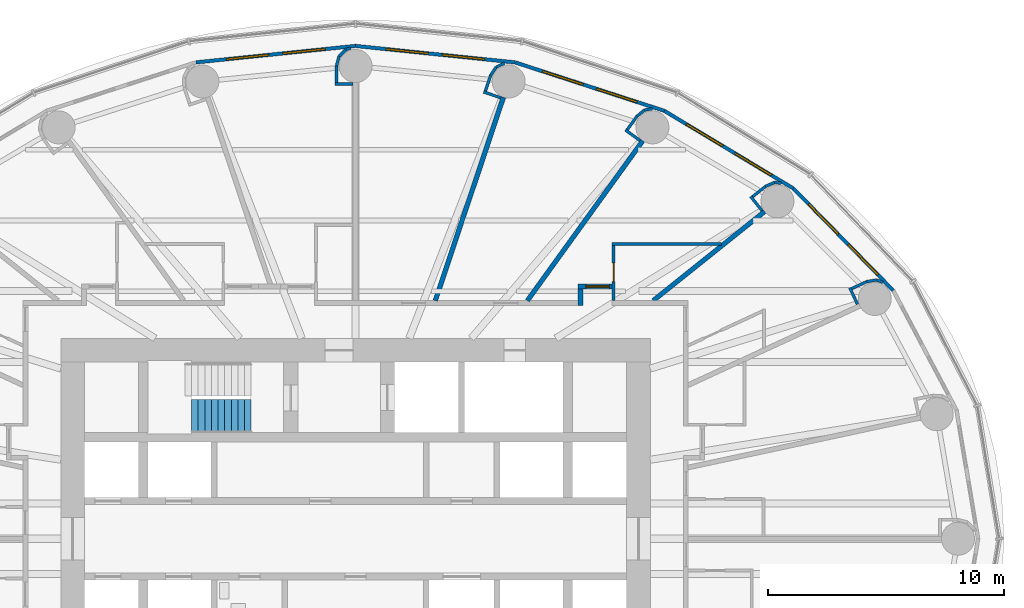
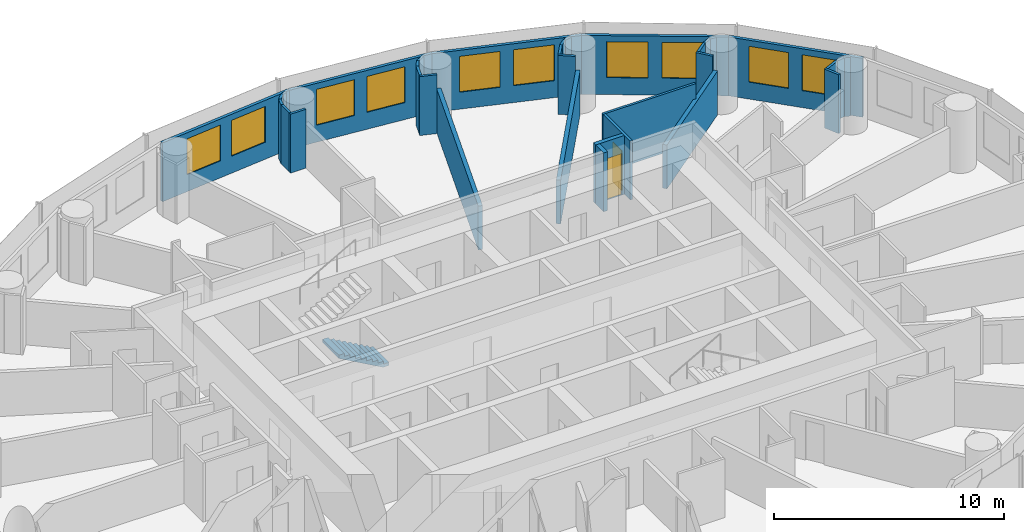
# One storey, part 13 of 16: 33 walls, 10 windows, 2 doors, 1 stair flight, 12 openings, 1 element without a shape of its own.
"""IFC4 building model written with IfcOpenShell, lengths in metres."""

from ifc_helpers import new_model, si_unit, direction, frame, frame_2d, origin, place, context, subcontext, project, spatial, polyline, rectangle, outline, extrude, material, layer, layer_set, type_object, element, fill, aggregate, save


model = new_model("IFC4")

# Units and contexts
model_context = context("Model", 3, precision=1e-05, world=origin(), true_north=direction((0.0, 1.0)))
body_context = subcontext(model_context, "Body", "Model", "MODEL_VIEW")
ifc_project = project(units=[si_unit("LENGTHUNIT", "METRE"), si_unit("AREAUNIT", "SQUARE_METRE"), si_unit("VOLUMEUNIT", "CUBIC_METRE"), si_unit("PLANEANGLEUNIT", "RADIAN"), si_unit("MASSUNIT", "GRAM", prefix="KILO")], contexts=[model_context])

# Site, building, storey
site_placement = place(None, origin())
site = spatial("IfcSite", under=ifc_project, at=site_placement, CompositionType="ELEMENT")
building_placement = place(site_placement, origin())
building = spatial("IfcBuilding", under=site, at=building_placement, Name="Hankou Lantern Tower", CompositionType="ELEMENT")
storey_placement = place(building_placement, frame((0.0, 0.0, 77.10009765625)))
storey = spatial("IfcBuildingStorey", under=building, at=storey_placement, Name="L19", CompositionType="ELEMENT", Elevation=77.10009765625)

# Wall, openings, windows
ifc_material_1 = material(Name="Aluminium spandrel panel on steel studs", Category="steel")
ifc_layer_1 = layer(ifc_material_1, 0.14990234375)
ifc_layer_set_1 = layer_set([ifc_layer_1], Name="Aluminium spandrel panel on steel studs")
wall_type_1 = type_object("IfcWallType", Name="EW1 INNER SKIN WALL 150", PredefinedType="ELEMENTEDWALL", material=ifc_layer_set_1)
wall_1_placement = place(storey_placement, frame((22.802734375, 10.5322265625, 0.0), z_axis=(0.0, 0.0, 1.0), x_axis=(-0.699602905915, 0.714531856557, 0.0)))
wall_1 = element("IfcWall", 1, at=wall_1_placement, inside=storey, type_object=wall_type_1, Name="Inner skin R03-R04 L19", PredefinedType="ELEMENTEDWALL", context=body_context, shape_type="SweptSolid", body=[
    extrude(rectangle(XDim=6.05078125, YDim=0.14990234375, at=frame_2d((3.025390625, 0.0))), origin(), (0.0, 0.0, 1.0), 3.119873046875),
])
opening_1_placement = place(wall_1_placement, frame((0.925537109375, 0.0, 0.89990234375)))
opening_1 = element("IfcOpeningElement", 2, at=opening_1_placement, cuts=wall_1, Name="Opening W1", PredefinedType="OPENING", context=body_context, shape_type="SweptSolid", body=[
    extrude(rectangle(XDim=1.800048828125, YDim=1.89990234375, at=frame_2d((0.89990234375, 0.949951171875))), frame((0.0, 0.0849609375, 0.0), z_axis=(0.0, -1.0, 0.0), x_axis=(1.0, 0.0, 0.0)), (0.0, 0.0, 1.0), 0.169921875),
])
opening_2_placement = place(wall_1_placement, frame((3.325439453125, 0.0, 0.89990234375)))
opening_2 = element("IfcOpeningElement", 3, at=opening_2_placement, cuts=wall_1, Name="Opening W1", PredefinedType="OPENING", context=body_context, shape_type="SweptSolid", body=[
    extrude(rectangle(XDim=1.800048828125, YDim=1.89990234375, at=frame_2d((0.89990234375, 0.949951171875))), frame((0.0, 0.0849609375, 0.0), z_axis=(0.0, -1.0, 0.0), x_axis=(1.0, 0.0, 0.0)), (0.0, 0.0, 1.0), 0.169921875),
])
ifc_material_2 = material(Name="Aluminium framed double glazed window", Category="aluminium")
window_type = type_object("IfcWindowType", Name="W1 GUEST ROOM WINDOW 1800X1900", PartitioningType="DOUBLE_PANEL_VERTICAL", PredefinedType="WINDOW", material=ifc_material_2)
window_1_placement = place(opening_1_placement, origin())
window_1 = element("IfcWindow", 4, at=window_1_placement, inside=storey, type_object=window_type, Name="Window R03.1 L19", OverallHeight=1.89990234375, OverallWidth=1.800048828125, PartitioningType="SINGLE_PANEL", PredefinedType="WINDOW", context=body_context, shape_type="SweptSolid", body=[
    extrude(rectangle(XDim=1.800048828125, YDim=1.89990234375, at=frame_2d((0.89990234375, 0.949951171875))), frame((0.0, 0.030029296875, 0.0), z_axis=(0.0, -1.0, 0.0), x_axis=(1.0, 0.0, 0.0)), (0.0, 0.0, 1.0), 0.06005859375),
])
fill(opening_1, window_1)
window_2_placement = place(opening_2_placement, origin())
window_2 = element("IfcWindow", 5, at=window_2_placement, inside=storey, type_object=window_type, Name="Window R03.2 L19", OverallHeight=1.89990234375, OverallWidth=1.800048828125, PartitioningType="SINGLE_PANEL", PredefinedType="WINDOW", context=body_context, shape_type="SweptSolid", body=[
    extrude(rectangle(XDim=1.800048828125, YDim=1.89990234375, at=frame_2d((0.89990234375, 0.949951171875))), frame((0.0, 0.030029296875, 0.0), z_axis=(0.0, -1.0, 0.0), x_axis=(1.0, 0.0, 0.0)), (0.0, 0.0, 1.0), 0.06005859375),
])
fill(opening_2, window_2)

wall_2_placement = place(storey_placement, frame((18.569580078125, 14.855712890625, 0.0), z_axis=(0.0, 0.0, 1.0), x_axis=(-0.856983180864, 0.515344377787, 0.0)))
wall_2 = element("IfcWall", 6, at=wall_2_placement, inside=storey, type_object=wall_type_1, Name="Inner skin R04-R05 L19", PredefinedType="ELEMENTEDWALL", context=body_context, shape_type="SweptSolid", body=[
    extrude(rectangle(XDim=6.386474609375, YDim=0.14990234375, at=frame_2d((3.193359375, 0.0))), origin(), (0.0, 0.0, 1.0), 3.119873046875),
])
opening_3_placement = place(wall_2_placement, frame((1.09326171875, 0.0, 0.89990234375)))
opening_3 = element("IfcOpeningElement", 7, at=opening_3_placement, cuts=wall_2, Name="Opening W1", PredefinedType="OPENING", context=body_context, shape_type="SweptSolid", body=[
    extrude(rectangle(XDim=1.800048828125, YDim=1.89990234375, at=frame_2d((0.89990234375, 0.949951171875))), frame((0.0, 0.0849609375, 0.0), z_axis=(0.0, -1.0, 0.0), x_axis=(1.0, 0.0, 0.0)), (0.0, 0.0, 1.0), 0.169921875),
])
opening_4_placement = place(wall_2_placement, frame((3.4931640625, 0.0, 0.89990234375)))
opening_4 = element("IfcOpeningElement", 8, at=opening_4_placement, cuts=wall_2, Name="Opening W1", PredefinedType="OPENING", context=body_context, shape_type="SweptSolid", body=[
    extrude(rectangle(XDim=1.800048828125, YDim=1.89990234375, at=frame_2d((0.89990234375, 0.949951171875))), frame((0.0, 0.0849609375, 0.0), z_axis=(0.0, -1.0, 0.0), x_axis=(1.0, 0.0, 0.0)), (0.0, 0.0, 1.0), 0.169921875),
])
window_3_placement = place(opening_3_placement, origin())
window_3 = element("IfcWindow", 9, at=window_3_placement, inside=storey, type_object=window_type, Name="Window R04.1 L19", OverallHeight=1.89990234375, OverallWidth=1.800048828125, PartitioningType="SINGLE_PANEL", PredefinedType="WINDOW", context=body_context, shape_type="SweptSolid", body=[
    extrude(rectangle(XDim=1.800048828125, YDim=1.89990234375, at=frame_2d((0.89990234375, 0.949951171875))), frame((0.0, 0.030029296875, 0.0), z_axis=(0.0, -1.0, 0.0), x_axis=(1.0, 0.0, 0.0)), (0.0, 0.0, 1.0), 0.06005859375),
])
fill(opening_3, window_3)
window_4_placement = place(opening_4_placement, origin())
window_4 = element("IfcWindow", 10, at=window_4_placement, inside=storey, type_object=window_type, Name="Window R04.2 L19", OverallHeight=1.89990234375, OverallWidth=1.800048828125, PartitioningType="SINGLE_PANEL", PredefinedType="WINDOW", context=body_context, shape_type="SweptSolid", body=[
    extrude(rectangle(XDim=1.800048828125, YDim=1.89990234375, at=frame_2d((0.89990234375, 0.949951171875))), frame((0.0, 0.030029296875, 0.0), z_axis=(0.0, -1.0, 0.0), x_axis=(1.0, 0.0, 0.0)), (0.0, 0.0, 1.0), 0.06005859375),
])
fill(opening_4, window_4)

wall_3_placement = place(storey_placement, frame((13.096435546875, 18.14697265625, 0.0), z_axis=(0.0, 0.0, 1.0), x_axis=(-0.951137534625, 0.308767534285, 0.0)))
wall_3 = element("IfcWall", 11, at=wall_3_placement, inside=storey, type_object=wall_type_1, Name="Inner skin R05-R06 L19", PredefinedType="ELEMENTEDWALL", context=body_context, shape_type="SweptSolid", body=[
    extrude(rectangle(XDim=6.6552734375, YDim=0.14990234375, at=frame_2d((3.32763671875, 0.0))), origin(), (0.0, 0.0, 1.0), 3.119873046875),
])
opening_5_placement = place(wall_3_placement, frame((1.2275390625, 0.0, 0.89990234375)))
opening_5 = element("IfcOpeningElement", 12, at=opening_5_placement, cuts=wall_3, Name="Opening W1", PredefinedType="OPENING", context=body_context, shape_type="SweptSolid", body=[
    extrude(rectangle(XDim=1.800048828125, YDim=1.89990234375, at=frame_2d((0.89990234375, 0.949951171875))), frame((0.0, 0.0849609375, 0.0), z_axis=(0.0, -1.0, 0.0), x_axis=(1.0, 0.0, 0.0)), (0.0, 0.0, 1.0), 0.169921875),
])
opening_6_placement = place(wall_3_placement, frame((3.627685546875, 0.0, 0.89990234375)))
opening_6 = element("IfcOpeningElement", 13, at=opening_6_placement, cuts=wall_3, Name="Opening W1", PredefinedType="OPENING", context=body_context, shape_type="SweptSolid", body=[
    extrude(rectangle(XDim=1.800048828125, YDim=1.89990234375, at=frame_2d((0.89990234375, 0.949951171875))), frame((0.0, 0.0849609375, 0.0), z_axis=(0.0, -1.0, 0.0), x_axis=(1.0, 0.0, 0.0)), (0.0, 0.0, 1.0), 0.169921875),
])
window_5_placement = place(opening_5_placement, origin())
window_5 = element("IfcWindow", 14, at=window_5_placement, inside=storey, type_object=window_type, Name="Window R05.1 L19", OverallHeight=1.89990234375, OverallWidth=1.800048828125, PartitioningType="SINGLE_PANEL", PredefinedType="WINDOW", context=body_context, shape_type="SweptSolid", body=[
    extrude(rectangle(XDim=1.800048828125, YDim=1.89990234375, at=frame_2d((0.89990234375, 0.949951171875))), frame((0.0, 0.030029296875, 0.0), z_axis=(0.0, -1.0, 0.0), x_axis=(1.0, 0.0, 0.0)), (0.0, 0.0, 1.0), 0.06005859375),
])
fill(opening_5, window_5)
window_6_placement = place(opening_6_placement, origin())
window_6 = element("IfcWindow", 15, at=window_6_placement, inside=storey, type_object=window_type, Name="Window R05.2 L19", OverallHeight=1.89990234375, OverallWidth=1.800048828125, PartitioningType="SINGLE_PANEL", PredefinedType="WINDOW", context=body_context, shape_type="SweptSolid", body=[
    extrude(rectangle(XDim=1.800048828125, YDim=1.89990234375, at=frame_2d((0.89990234375, 0.949951171875))), frame((0.0, 0.030029296875, 0.0), z_axis=(0.0, -1.0, 0.0), x_axis=(1.0, 0.0, 0.0)), (0.0, 0.0, 1.0), 0.06005859375),
])
fill(opening_6, window_6)

wall_4_placement = place(storey_placement, frame((6.766357421875, 20.201904296875, 0.0), z_axis=(0.0, 0.0, 1.0), x_axis=(-0.994721394369, 0.102612609291, 0.0)))
wall_4 = element("IfcWall", 16, at=wall_4_placement, inside=storey, type_object=wall_type_1, Name="Inner skin R06-R07 L19", PredefinedType="ELEMENTEDWALL", context=body_context, shape_type="SweptSolid", body=[
    extrude(rectangle(XDim=6.80224609375, YDim=0.14990234375, at=frame_2d((3.401123046875, 0.0))), origin(), (0.0, 0.0, 1.0), 3.119873046875),
])
opening_7_placement = place(wall_4_placement, frame((1.301025390625, 0.0, 0.89990234375)))
opening_7 = element("IfcOpeningElement", 17, at=opening_7_placement, cuts=wall_4, Name="Opening W1", PredefinedType="OPENING", context=body_context, shape_type="SweptSolid", body=[
    extrude(rectangle(XDim=1.800048828125, YDim=1.89990234375, at=frame_2d((0.89990234375, 0.949951171875))), frame((0.0, 0.0849609375, 0.0), z_axis=(0.0, -1.0, 0.0), x_axis=(1.0, 0.0, 0.0)), (0.0, 0.0, 1.0), 0.169921875),
])
opening_8_placement = place(wall_4_placement, frame((3.701171875, 0.0, 0.89990234375)))
opening_8 = element("IfcOpeningElement", 18, at=opening_8_placement, cuts=wall_4, Name="Opening W1", PredefinedType="OPENING", context=body_context, shape_type="SweptSolid", body=[
    extrude(rectangle(XDim=1.800048828125, YDim=1.89990234375, at=frame_2d((0.89990234375, 0.949951171875))), frame((0.0, 0.0849609375, 0.0), z_axis=(0.0, -1.0, 0.0), x_axis=(1.0, 0.0, 0.0)), (0.0, 0.0, 1.0), 0.169921875),
])
window_7_placement = place(opening_7_placement, origin())
window_7 = element("IfcWindow", 19, at=window_7_placement, inside=storey, type_object=window_type, Name="Window R06.1 L19", OverallHeight=1.89990234375, OverallWidth=1.800048828125, PartitioningType="SINGLE_PANEL", PredefinedType="WINDOW", context=body_context, shape_type="SweptSolid", body=[
    extrude(rectangle(XDim=1.800048828125, YDim=1.89990234375, at=frame_2d((0.89990234375, 0.949951171875))), frame((0.0, 0.030029296875, 0.0), z_axis=(0.0, -1.0, 0.0), x_axis=(1.0, 0.0, 0.0)), (0.0, 0.0, 1.0), 0.06005859375),
])
fill(opening_7, window_7)
window_8_placement = place(opening_8_placement, origin())
window_8 = element("IfcWindow", 20, at=window_8_placement, inside=storey, type_object=window_type, Name="Window R06.2 L19", OverallHeight=1.89990234375, OverallWidth=1.800048828125, PartitioningType="SINGLE_PANEL", PredefinedType="WINDOW", context=body_context, shape_type="SweptSolid", body=[
    extrude(rectangle(XDim=1.800048828125, YDim=1.89990234375, at=frame_2d((0.89990234375, 0.949951171875))), frame((0.0, 0.030029296875, 0.0), z_axis=(0.0, -1.0, 0.0), x_axis=(1.0, 0.0, 0.0)), (0.0, 0.0, 1.0), 0.06005859375),
])
fill(opening_8, window_8)

wall_5_placement = place(storey_placement, frame((0.0, 20.89990234375, 0.0), z_axis=(0.0, 0.0, 1.0), x_axis=(-0.994721394369, -0.102612609291, 0.0)))
wall_5 = element("IfcWall", 21, at=wall_5_placement, inside=storey, type_object=wall_type_1, Name="Inner skin R07-R08 L19", PredefinedType="ELEMENTEDWALL", context=body_context, shape_type="SweptSolid", body=[
    extrude(rectangle(XDim=6.80224609375, YDim=0.14990234375, at=frame_2d((3.401123046875, 0.0))), origin(), (0.0, 0.0, 1.0), 3.119873046875),
])
opening_9_placement = place(wall_5_placement, frame((1.301025390625, 0.0, 0.89990234375)))
opening_9 = element("IfcOpeningElement", 22, at=opening_9_placement, cuts=wall_5, Name="Opening W1", PredefinedType="OPENING", context=body_context, shape_type="SweptSolid", body=[
    extrude(rectangle(XDim=1.800048828125, YDim=1.89990234375, at=frame_2d((0.89990234375, 0.949951171875))), frame((0.0, 0.0849609375, 0.0), z_axis=(0.0, -1.0, 0.0), x_axis=(1.0, 0.0, 0.0)), (0.0, 0.0, 1.0), 0.169921875),
])
opening_10_placement = place(wall_5_placement, frame((3.701171875, 0.0, 0.89990234375)))
opening_10 = element("IfcOpeningElement", 23, at=opening_10_placement, cuts=wall_5, Name="Opening W1", PredefinedType="OPENING", context=body_context, shape_type="SweptSolid", body=[
    extrude(rectangle(XDim=1.800048828125, YDim=1.89990234375, at=frame_2d((0.89990234375, 0.949951171875))), frame((0.0, 0.0849609375, 0.0), z_axis=(0.0, -1.0, 0.0), x_axis=(1.0, 0.0, 0.0)), (0.0, 0.0, 1.0), 0.169921875),
])
window_9_placement = place(opening_9_placement, origin())
window_9 = element("IfcWindow", 24, at=window_9_placement, inside=storey, type_object=window_type, Name="Window R07.1 L19", OverallHeight=1.89990234375, OverallWidth=1.800048828125, PartitioningType="SINGLE_PANEL", PredefinedType="WINDOW", context=body_context, shape_type="SweptSolid", body=[
    extrude(rectangle(XDim=1.800048828125, YDim=1.89990234375, at=frame_2d((0.89990234375, 0.949951171875))), frame((0.0, 0.030029296875, 0.0), z_axis=(0.0, -1.0, 0.0), x_axis=(1.0, 0.0, 0.0)), (0.0, 0.0, 1.0), 0.06005859375),
])
fill(opening_9, window_9)
window_10_placement = place(opening_10_placement, origin())
window_10 = element("IfcWindow", 25, at=window_10_placement, inside=storey, type_object=window_type, Name="Window R07.2 L19", OverallHeight=1.89990234375, OverallWidth=1.800048828125, PartitioningType="SINGLE_PANEL", PredefinedType="WINDOW", context=body_context, shape_type="SweptSolid", body=[
    extrude(rectangle(XDim=1.800048828125, YDim=1.89990234375, at=frame_2d((0.89990234375, 0.949951171875))), frame((0.0, 0.030029296875, 0.0), z_axis=(0.0, -1.0, 0.0), x_axis=(1.0, 0.0, 0.0)), (0.0, 0.0, 1.0), 0.06005859375),
])
fill(opening_10, window_10)

# Wall
ifc_material_3 = material(Name="Masonry lightweight concrete block", Category="masonry")
ifc_layer_2 = layer(ifc_material_3, 0.199951171875)
ifc_layer_set_2 = layer_set([ifc_layer_2], Name="Masonry lightweight concrete block")
wall_type_2 = type_object("IfcWallType", Name="IW1 GUEST ROOM PARTY WALL 200", PredefinedType="PARTITIONING", material=ifc_layer_set_2)
wall_6_placement = place(storey_placement, frame((12.625, 10.10009765625, 0.0), z_axis=(0.0, 0.0, 1.0), x_axis=(0.780892451574, 0.624665493744, 0.0)))
element("IfcWall", 26, at=wall_6_placement, inside=storey, type_object=wall_type_2, Name="Party wall R04", PredefinedType="PARTITIONING", context=body_context, shape_type="SweptSolid", body=[
    extrude(rectangle(XDim=6.044677734375, YDim=0.199951171875, at=frame_2d((3.0224609375, 0.0))), origin(), (0.0, 0.0, 1.0), 2.31982421875),
])

# Wall, opening, door
ifc_material_4 = material(Name="Masonry lightweight concrete block", Category="masonry")
ifc_layer_3 = layer(ifc_material_4, 0.199951171875)
ifc_layer_set_3 = layer_set([ifc_layer_3], Name="Masonry lightweight concrete block")
wall_type_3 = type_object("IfcWallType", Name="IW2 CORRIDOR WALL 200", PredefinedType="PARTITIONING", material=ifc_layer_set_3)
wall_7_placement = place(storey_placement, frame((9.445068359375, 10.699951171875, 0.0), z_axis=(0.0, 0.0, 1.0), x_axis=(1.0, 0.0, 0.0)))
wall_7 = element("IfcWall", 27, at=wall_7_placement, inside=storey, type_object=wall_type_3, Name="Corridor recess wall 1909 back", PredefinedType="PARTITIONING", context=body_context, shape_type="SweptSolid", body=[
    extrude(rectangle(XDim=1.43994140625, YDim=0.199951171875, at=frame_2d((0.719970703125, 0.0))), origin(), (0.0, 0.0, 1.0), 3.119873046875),
])
opening_11_placement = place(wall_7_placement, frame((0.320068359375, 0.0, 0.0)))
opening_11 = element("IfcOpeningElement", 28, at=opening_11_placement, cuts=wall_7, Name="Opening D1", PredefinedType="OPENING", context=body_context, shape_type="SweptSolid", body=[
    extrude(rectangle(XDim=1.0, YDim=2.199951171875, at=frame_2d((0.5, 1.10009765625))), frame((0.0, 0.10986328125, 0.0), z_axis=(0.0, -1.0, 0.0), x_axis=(1.0, 0.0, 0.0)), (0.0, 0.0, 1.0), 0.219970703125),
])
ifc_material_5 = material(Name="Steel door leaf", Category="steel")
door_type_1 = type_object("IfcDoorType", Name="D1 GUEST ROOM DOOR 1000X2200", OperationType="SINGLE_SWING_LEFT", PredefinedType="DOOR", material=ifc_material_5)
door_1_placement = place(opening_11_placement, origin())
door_1 = element("IfcDoor", 29, at=door_1_placement, inside=storey, type_object=door_type_1, Name="Guest room door 1909", OperationType="SINGLE_SWING_RIGHT", OverallHeight=2.199951171875, OverallWidth=1.0, PredefinedType="DOOR", context=body_context, shape_type="SweptSolid", body=[
    extrude(rectangle(XDim=1.0, YDim=2.199951171875, at=frame_2d((0.5, 1.10009765625))), frame((0.0, 0.02490234375, 0.0), z_axis=(0.0, -1.0, 0.0), x_axis=(1.0, 0.0, 0.0)), (0.0, 0.0, 1.0), 0.050048828125),
])
fill(opening_11, door_1)

# Walls
wall_8_placement = place(storey_placement, frame((9.544921875, 9.89990234375, 0.0), z_axis=(0.0, 0.0, 1.0), x_axis=(0.0, 1.0, 0.0)))
element("IfcWall", 30, at=wall_8_placement, inside=storey, type_object=wall_type_3, Name="Corridor recess wall 1909 side", PredefinedType="PARTITIONING", context=body_context, shape_type="SweptSolid", body=[
    extrude(rectangle(XDim=0.7001953125, YDim=0.199951171875, at=frame_2d((0.35009765625, 0.0))), origin(), (0.0, 0.0, 1.0), 3.119873046875),
])
ifc_material_6 = material(Name="Masonry lightweight concrete block", Category="masonry")
ifc_layer_4 = layer(ifc_material_6, 0.1201171875)
ifc_layer_set_4 = layer_set([ifc_layer_4], Name="Masonry lightweight concrete block")
wall_type_4 = type_object("IfcWallType", Name="IW3 BATHROOM WALL 120", PredefinedType="PARTITIONING", material=ifc_layer_set_4)
wall_9_placement = place(storey_placement, frame((15.52490234375, 12.5, 0.0), z_axis=(0.0, 0.0, 1.0), x_axis=(-1.0, 0.0, 0.0)))
element("IfcWall", 31, at=wall_9_placement, inside=storey, type_object=wall_type_4, Name="Box wall 1909 1", PredefinedType="PARTITIONING", context=body_context, shape_type="SweptSolid", body=[
    extrude(rectangle(XDim=4.639892578125, YDim=0.1201171875, at=frame_2d((2.31982421875, 0.0))), origin(), (0.0, 0.0, 1.0), 3.119873046875),
])

# Wall, opening, door
wall_10_placement = place(storey_placement, frame((10.945068359375, 10.10009765625, 0.0), z_axis=(0.0, 0.0, 1.0), x_axis=(0.0, 1.0, 0.0)))
wall_10 = element("IfcWall", 32, at=wall_10_placement, inside=storey, type_object=wall_type_4, Name="Box wall 1909 1", PredefinedType="PARTITIONING", context=body_context, shape_type="SweptSolid", body=[
    extrude(rectangle(XDim=2.33984375, YDim=0.1201171875, at=frame_2d((1.169921875, 0.0))), origin(), (0.0, 0.0, 1.0), 3.119873046875),
])
opening_12_placement = place(wall_10_placement, frame((0.800048828125, 0.0, 0.0)))
opening_12 = element("IfcOpeningElement", 33, at=opening_12_placement, cuts=wall_10, Name="Opening D3", PredefinedType="OPENING", context=body_context, shape_type="SweptSolid", body=[
    extrude(rectangle(XDim=0.800048828125, YDim=2.10009765625, at=frame_2d((0.39990234375, 1.050048828125))), frame((0.0, 0.070068359375, 0.0), z_axis=(0.0, -1.0, 0.0), x_axis=(1.0, 0.0, 0.0)), (0.0, 0.0, 1.0), 0.14013671875),
])
ifc_material_7 = material(Name="Timber door leaf", Category="wood")
door_type_2 = type_object("IfcDoorType", Name="D3 BATHROOM DOOR 800X2100", OperationType="SINGLE_SWING_LEFT", PredefinedType="DOOR", material=ifc_material_7)
door_2_placement = place(opening_12_placement, origin())
door_2 = element("IfcDoor", 34, at=door_2_placement, inside=storey, type_object=door_type_2, Name="En-suite bathroom 1909 door", OperationType="SINGLE_SWING_LEFT", OverallHeight=2.10009765625, OverallWidth=0.800048828125, PredefinedType="DOOR", context=body_context, shape_type="SweptSolid", body=[
    extrude(rectangle(XDim=0.800048828125, YDim=2.10009765625, at=frame_2d((0.39990234375, 1.050048828125))), frame((0.0, 0.02490234375, 0.0), z_axis=(0.0, -1.0, 0.0), x_axis=(1.0, 0.0, 0.0)), (0.0, 0.0, 1.0), 0.050048828125),
])
fill(opening_12, door_2)

# Walls
ifc_material_8 = material(Name="Masonry lightweight concrete block", Category="masonry")
ifc_layer_5 = layer(ifc_material_8, 0.1201171875)
ifc_layer_set_5 = layer_set([ifc_layer_5], Name="Masonry lightweight concrete block")
wall_type_5 = type_object("IfcWallType", Name="IW4 PARTITION 120", PredefinedType="PARTITIONING", material=ifc_layer_set_5)
wall_11_placement = place(storey_placement, frame((21.287109375, 9.9423828125, 0.0), z_axis=(0.0, 0.0, 1.0), x_axis=(-0.419259891039, 0.907866258744, 0.0)))
element("IfcWall", 35, at=wall_11_placement, inside=storey, type_object=wall_type_5, Name="Column casing R03 return", PredefinedType="PARTITIONING", context=body_context, shape_type="SweptSolid", body=[
    extrude(rectangle(XDim=0.767578125, YDim=0.1201171875, at=frame_2d((0.3837890625, 0.0))), origin(), (0.0, 0.0, 1.0), 3.119873046875),
])
wall_12_placement = place(storey_placement, frame((21.044921875, 10.60986328125, 0.0), z_axis=(0.0, 0.0, 1.0), x_axis=(0.907877701396, 0.419235112208, 0.0)))
element("IfcWall", 36, at=wall_12_placement, inside=storey, type_object=wall_type_5, Name="Column casing R03", PredefinedType="PARTITIONING", context=body_context, shape_type="SweptSolid", body=[
    extrude(rectangle(XDim=0.699951171875, YDim=0.1201171875, at=frame_2d((0.35009765625, 0.0))), origin(), (0.0, 0.0, 1.0), 3.119873046875),
])
wall_13_placement = place(storey_placement, frame((21.680419921875, 10.9033203125, 0.0), z_axis=(0.0, 0.0, 1.0), x_axis=(0.985446622073, 0.169985161247, 0.0)))
element("IfcWall", 37, at=wall_13_placement, inside=storey, type_object=wall_type_5, Name="Column casing R03", PredefinedType="PARTITIONING", context=body_context, shape_type="SweptSolid", body=[
    extrude(rectangle(XDim=0.41796875, YDim=0.1201171875, at=frame_2d((0.208984375, 0.0))), origin(), (0.0, 0.0, 1.0), 3.119873046875),
])
wall_14_placement = place(storey_placement, frame((22.09228515625, 10.974365234375, 0.0), z_axis=(0.0, 0.0, 1.0), x_axis=(0.938428160676, -0.345474437912, 0.0)))
element("IfcWall", 38, at=wall_14_placement, inside=storey, type_object=wall_type_5, Name="Column casing R03", PredefinedType="PARTITIONING", context=body_context, shape_type="SweptSolid", body=[
    extrude(rectangle(XDim=0.2939453125, YDim=0.1201171875, at=frame_2d((0.14697265625, 0.0))), origin(), (0.0, 0.0, 1.0), 3.119873046875),
])
wall_15_placement = place(storey_placement, frame((17.23583984375, 13.916748046875, 0.0), z_axis=(0.0, 0.0, 1.0), x_axis=(-0.624695047554, 0.780868809443, 0.0)))
element("IfcWall", 39, at=wall_15_placement, inside=storey, type_object=wall_type_5, Name="Column casing R04 return", PredefinedType="PARTITIONING", context=body_context, shape_type="SweptSolid", body=[
    extrude(rectangle(XDim=0.767578125, YDim=0.1201171875, at=frame_2d((0.3837890625, 0.0))), origin(), (0.0, 0.0, 1.0), 3.119873046875),
])
wall_16_placement = place(storey_placement, frame((16.840576171875, 14.506591796875, 0.0), z_axis=(0.0, 0.0, 1.0), x_axis=(0.780902834923, 0.62465251333, 0.0)))
element("IfcWall", 40, at=wall_16_placement, inside=storey, type_object=wall_type_5, Name="Column casing R04", PredefinedType="PARTITIONING", context=body_context, shape_type="SweptSolid", body=[
    extrude(rectangle(XDim=0.699951171875, YDim=0.1201171875, at=frame_2d((0.35009765625, 0.0))), origin(), (0.0, 0.0, 1.0), 3.119873046875),
])
wall_17_placement = place(storey_placement, frame((17.38720703125, 14.94384765625, 0.0), z_axis=(0.0, 0.0, 1.0), x_axis=(0.916036698064, 0.401094462441, 0.0)))
element("IfcWall", 41, at=wall_17_placement, inside=storey, type_object=wall_type_5, Name="Column casing R04", PredefinedType="PARTITIONING", context=body_context, shape_type="SweptSolid", body=[
    extrude(rectangle(XDim=0.418212890625, YDim=0.1201171875, at=frame_2d((0.208984375, 0.0))), origin(), (0.0, 0.0, 1.0), 3.119873046875),
])
wall_18_placement = place(storey_placement, frame((17.770263671875, 15.111572265625, 0.0), z_axis=(0.0, 0.0, 1.0), x_axis=(0.993904401174, -0.110245368731, 0.0)))
element("IfcWall", 42, at=wall_18_placement, inside=storey, type_object=wall_type_5, Name="Column casing R04", PredefinedType="PARTITIONING", context=body_context, shape_type="SweptSolid", body=[
    extrude(rectangle(XDim=0.287841796875, YDim=0.1201171875, at=frame_2d((0.14404296875, 0.0))), origin(), (0.0, 0.0, 1.0), 3.119873046875),
])
wall_19_placement = place(storey_placement, frame((12.06494140625, 16.888671875, 0.0), z_axis=(0.0, 0.0, 1.0), x_axis=(-0.810821798253, 0.585293098778, 0.0)))
element("IfcWall", 43, at=wall_19_placement, inside=storey, type_object=wall_type_5, Name="Column casing R05 return", PredefinedType="PARTITIONING", context=body_context, shape_type="SweptSolid", body=[
    extrude(rectangle(XDim=0.767578125, YDim=0.1201171875, at=frame_2d((0.3837890625, 0.0))), origin(), (0.0, 0.0, 1.0), 3.119873046875),
])
wall_20_placement = place(storey_placement, frame((11.5263671875, 17.351318359375, 0.0), z_axis=(0.0, 0.0, 1.0), x_axis=(0.585223113993, 0.810872312296, 0.0)))
element("IfcWall", 44, at=wall_20_placement, inside=storey, type_object=wall_type_5, Name="Column casing R05", PredefinedType="PARTITIONING", context=body_context, shape_type="SweptSolid", body=[
    extrude(rectangle(XDim=0.699951171875, YDim=0.1201171875, at=frame_2d((0.35009765625, 0.0))), origin(), (0.0, 0.0, 1.0), 3.119873046875),
])
wall_21_placement = place(storey_placement, frame((11.93603515625, 17.9189453125, 0.0), z_axis=(0.0, 0.0, 1.0), x_axis=(0.775023088441, 0.631932917629, 0.0)))
element("IfcWall", 45, at=wall_21_placement, inside=storey, type_object=wall_type_5, Name="Column casing R05", PredefinedType="PARTITIONING", context=body_context, shape_type="SweptSolid", body=[
    extrude(rectangle(XDim=0.41796875, YDim=0.1201171875, at=frame_2d((0.208984375, 0.0))), origin(), (0.0, 0.0, 1.0), 3.119873046875),
])
wall_22_placement = place(storey_placement, frame((12.260009765625, 18.18310546875, 0.0), z_axis=(0.0, 0.0, 1.0), x_axis=(0.987218661664, 0.159371622511, 0.0)))
element("IfcWall", 46, at=wall_22_placement, inside=storey, type_object=wall_type_5, Name="Column casing R05", PredefinedType="PARTITIONING", context=body_context, shape_type="SweptSolid", body=[
    extrude(rectangle(XDim=0.330810546875, YDim=0.1201171875, at=frame_2d((0.16552734375, 0.0))), origin(), (0.0, 0.0, 1.0), 3.119873046875),
])
wall_23_placement = place(storey_placement, frame((6.15869140625, 18.702392578125, 0.0), z_axis=(0.0, 0.0, 1.0), x_axis=(-0.948173154049, 0.31775410295, 0.0)))
element("IfcWall", 47, at=wall_23_placement, inside=storey, type_object=wall_type_5, Name="Column casing R06 return", PredefinedType="PARTITIONING", context=body_context, shape_type="SweptSolid", body=[
    extrude(rectangle(XDim=0.767578125, YDim=0.1201171875, at=frame_2d((0.3837890625, 0.0))), origin(), (0.0, 0.0, 1.0), 3.119873046875),
])
wall_24_placement = place(storey_placement, frame((5.5068359375, 18.984130859375, 0.0), z_axis=(0.0, 0.0, 1.0), x_axis=(0.317692050622, 0.948193946918, 0.0)))
element("IfcWall", 48, at=wall_24_placement, inside=storey, type_object=wall_type_5, Name="Column casing R06", PredefinedType="PARTITIONING", context=body_context, shape_type="SweptSolid", body=[
    extrude(rectangle(XDim=0.7001953125, YDim=0.1201171875, at=frame_2d((0.35009765625, 0.0))), origin(), (0.0, 0.0, 1.0), 3.119873046875),
])
wall_25_placement = place(storey_placement, frame((5.729248046875, 19.64794921875, 0.0), z_axis=(0.0, 0.0, 1.0), x_axis=(0.552135764955, 0.833754218615, 0.0)))
element("IfcWall", 49, at=wall_25_placement, inside=storey, type_object=wall_type_5, Name="Column casing R06", PredefinedType="PARTITIONING", context=body_context, shape_type="SweptSolid", body=[
    extrude(rectangle(XDim=0.41796875, YDim=0.1201171875, at=frame_2d((0.208984375, 0.0))), origin(), (0.0, 0.0, 1.0), 3.119873046875),
])
wall_26_placement = place(storey_placement, frame((5.9599609375, 19.996337890625, 0.0), z_axis=(0.0, 0.0, 1.0), x_axis=(0.895160725913, 0.445743507842, 0.0)))
element("IfcWall", 50, at=wall_26_placement, inside=storey, type_object=wall_type_5, Name="Column casing R06", PredefinedType="PARTITIONING", context=body_context, shape_type="SweptSolid", body=[
    extrude(rectangle(XDim=0.398681640625, YDim=0.1201171875, at=frame_2d((0.19921875, 0.0))), origin(), (0.0, 0.0, 1.0), 3.119873046875),
])
wall_27_placement = place(storey_placement, frame((-0.10009765625, 19.2900390625, 0.0), z_axis=(0.0, 0.0, 1.0), x_axis=(-1.0, 0.0, 0.0)))
element("IfcWall", 51, at=wall_27_placement, inside=storey, type_object=wall_type_5, Name="Column casing R07 return", PredefinedType="PARTITIONING", context=body_context, shape_type="SweptSolid", body=[
    extrude(rectangle(XDim=0.767333984375, YDim=0.1201171875, at=frame_2d((0.3837890625, 0.0))), origin(), (0.0, 0.0, 1.0), 3.119873046875),
])
wall_28_placement = place(storey_placement, frame((-0.8076171875, 19.35009765625, 0.0), z_axis=(0.0, 0.0, 1.0), x_axis=(0.0, 1.0, 0.0)))
element("IfcWall", 52, at=wall_28_placement, inside=storey, type_object=wall_type_5, Name="Column casing R07", PredefinedType="PARTITIONING", context=body_context, shape_type="SweptSolid", body=[
    extrude(rectangle(XDim=0.699951171875, YDim=0.1201171875, at=frame_2d((0.35009765625, 0.0))), origin(), (0.0, 0.0, 1.0), 3.119873046875),
])
wall_29_placement = place(storey_placement, frame((-0.8076171875, 20.050048828125, 0.0), z_axis=(0.0, 0.0, 1.0), x_axis=(0.2592614205, 0.965807183573, 0.0)))
element("IfcWall", 53, at=wall_29_placement, inside=storey, type_object=wall_type_5, Name="Column casing R07", PredefinedType="PARTITIONING", context=body_context, shape_type="SweptSolid", body=[
    extrude(rectangle(XDim=0.418212890625, YDim=0.1201171875, at=frame_2d((0.208984375, 0.0))), origin(), (0.0, 0.0, 1.0), 3.119873046875),
])
wall_30_placement = place(storey_placement, frame((-0.69921875, 20.453857421875, 0.0), z_axis=(0.0, 0.0, 1.0), x_axis=(0.707106781187, 0.707106781187, 0.0)))
element("IfcWall", 54, at=wall_30_placement, inside=storey, type_object=wall_type_5, Name="Column casing R07", PredefinedType="PARTITIONING", context=body_context, shape_type="SweptSolid", body=[
    extrude(rectangle(XDim=0.417724609375, YDim=0.1201171875, at=frame_2d((0.208984375, 0.0))), origin(), (0.0, 0.0, 1.0), 3.119873046875),
])
wall_31_placement = place(storey_placement, frame((-0.40380859375, 20.749267578125, 0.0), z_axis=(0.0, 0.0, 1.0), x_axis=(0.965759066438, 0.25944060128, 0.0)))
element("IfcWall", 55, at=wall_31_placement, inside=storey, type_object=wall_type_5, Name="Column casing R07", PredefinedType="PARTITIONING", context=body_context, shape_type="SweptSolid", body=[
    extrude(rectangle(XDim=0.213623046875, YDim=0.1201171875, at=frame_2d((0.10693359375, 0.0))), origin(), (0.0, 0.0, 1.0), 3.119873046875),
])
ifc_material_9 = material(Name="Masonry lightweight concrete block", Category="masonry")
ifc_layer_6 = layer(ifc_material_9, 0.199951171875)
ifc_layer_set_6 = layer_set([ifc_layer_6], Name="Masonry lightweight concrete block")
wall_type_6 = type_object("IfcWallType", Name="IW8 PARTITION 200", PredefinedType="PARTITIONING", material=ifc_layer_set_6)
wall_32_placement = place(storey_placement, frame((7.2890625, 10.10009765625, 0.0), z_axis=(0.0, 0.0, 1.0), x_axis=(0.585198353053, 0.810890182197, 0.0)))
element("IfcWall", 56, at=wall_32_placement, inside=storey, type_object=wall_type_6, Name="Partition R05", PredefinedType="PARTITIONING", context=body_context, shape_type="SweptSolid", body=[
    extrude(rectangle(XDim=8.359619140625, YDim=0.199951171875, at=frame_2d((4.1796875, 0.0))), origin(), (0.0, 0.0, 1.0), 2.31982421875),
])
wall_33_placement = place(storey_placement, frame((3.3828125, 10.10009765625, 0.0), z_axis=(0.0, 0.0, 1.0), x_axis=(0.31759592231, 0.948226149256, 0.0)))
element("IfcWall", 57, at=wall_33_placement, inside=storey, type_object=wall_type_6, Name="Partition R06", PredefinedType="PARTITIONING", context=body_context, shape_type="SweptSolid", body=[
    extrude(rectangle(XDim=9.098388671875, YDim=0.199951171875, at=frame_2d((4.54931640625, 0.0))), origin(), (0.0, 0.0, 1.0), 2.31982421875),
])

# Stair, stair flight
ifc_material_10 = material(Name="Concrete C40", Category="concrete")
stair_type = type_object("IfcStairType", Name="ST33 CORE STAIR 3300 RISE", PredefinedType="HALF_TURN_STAIR", material=ifc_material_10)
stair_placement = place(storey_placement, origin())
stair = element("IfcStair", 58, at=stair_placement, inside=storey, type_object=stair_type, Name="Stair STA L19", PredefinedType="HALF_TURN_STAIR")
ifc_material_11 = material(Name="Concrete C40", Category="concrete")
stair_flight_type = type_object("IfcStairFlightType", Name="CF10 CORE STAIR FLIGHT 1400 X 10 RISERS", PredefinedType="STRAIGHT", material=ifc_material_11)
stair_flight_placement = place(storey_placement, frame((-4.429931640625, 5.199951171875, 0.0), z_axis=(0.0, 0.0, 1.0), x_axis=(-1.0, 0.0, 0.0)))
stair_flight = element("IfcStairFlight", 59, at=stair_flight_placement, type_object=stair_flight_type, Name="STA flight 1", NumberOfRisers=10, NumberOfTreads=9, PredefinedType="STRAIGHT", RiserHeight=0.157142857, TreadLength=0.28, context=body_context, shape_type="SweptSolid", body=[
    extrude(outline(polyline([(0.0, 0.0), (0.0, 0.1572265625), (0.280029296875, 0.1572265625), (0.280029296875, 0.314208984375), (0.56005859375, 0.314208984375), (0.56005859375, 0.471435546875), (0.840087890625, 0.471435546875), (0.840087890625, 0.628662109375), (1.1201171875, 0.628662109375), (1.1201171875, 0.78564453125), (1.39990234375, 0.78564453125), (1.39990234375, 0.94287109375), (1.679931640625, 0.94287109375), (1.679931640625, 1.10009765625), (1.9599609375, 1.10009765625), (1.9599609375, 1.257080078125), (2.239990234375, 1.257080078125), (2.239990234375, 1.414306640625), (2.52001953125, 1.414306640625), (2.52001953125, 1.571533203125), (2.52001953125, 1.242431640625), (0.306396484375, 0.0), (0.0, 0.0)])), frame((0.0, 0.699951171875, 0.0), z_axis=(0.0, -1.0, 0.0), x_axis=(1.0, 0.0, 0.0)), (0.0, 0.0, 1.0), 1.39990234375),
])
aggregate(stair, [stair_flight])

save(model, "model.ifc")
